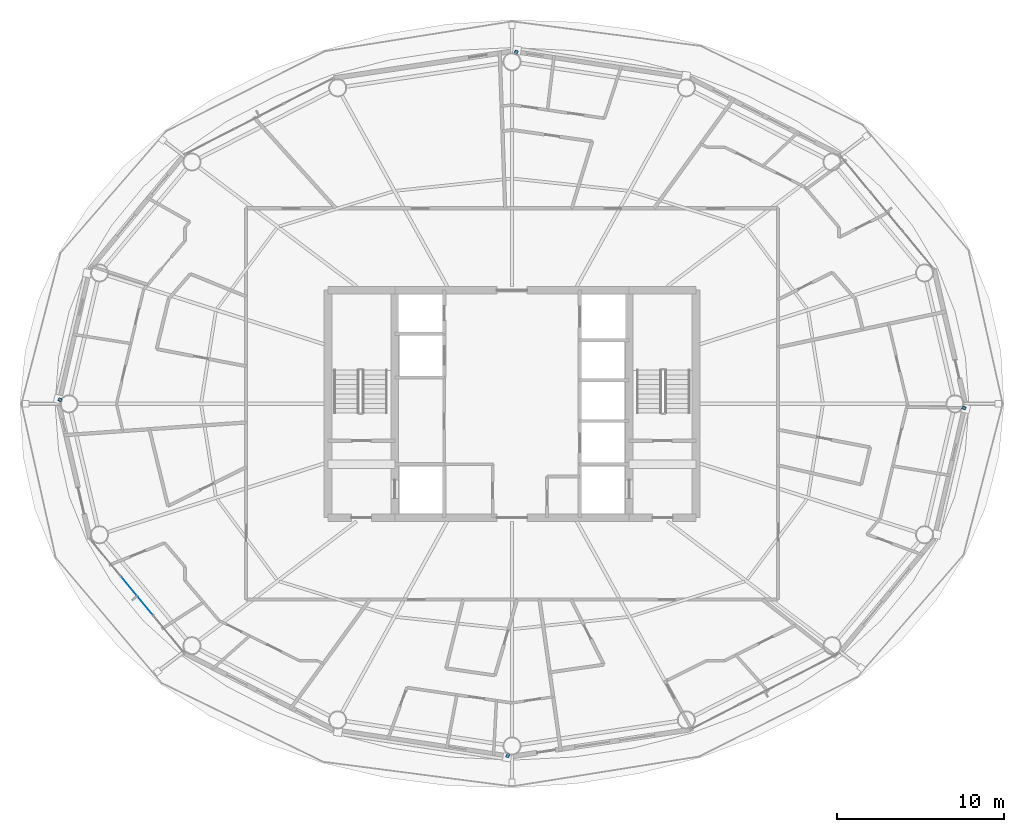
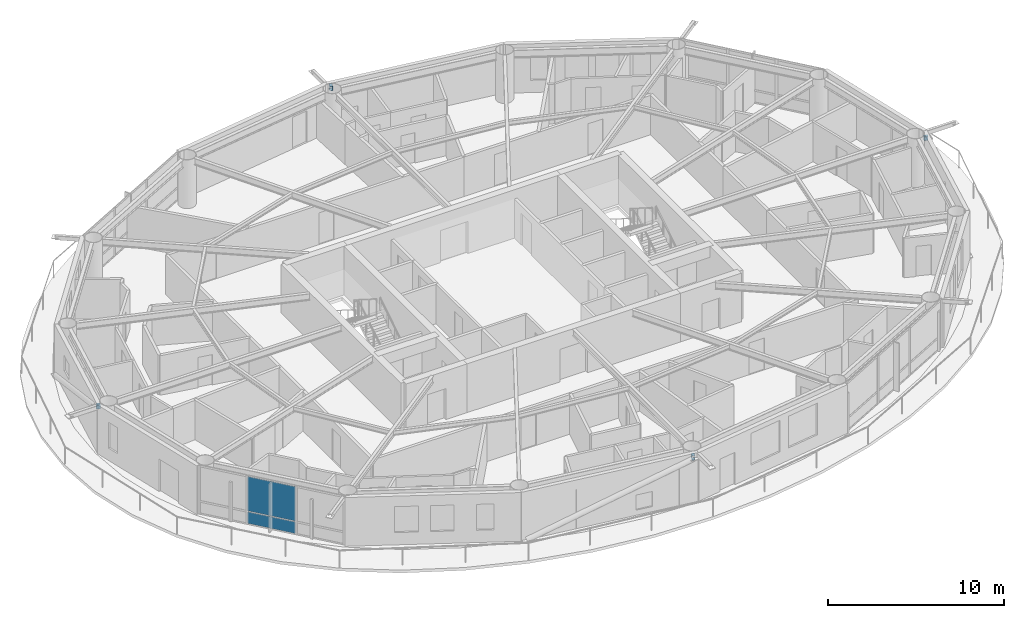
# One storey, part 16 of 30: 4 members, 2 plates, 1 element without a shape of its own.
"""IFC4 building model written with IfcOpenShell, lengths in metres."""

from ifc_helpers import new_model, si_unit, direction, frame, origin, origin_2d, place, context, subcontext, project, spatial, rectangle, hollow_rectangle, extrude, material, layer, layer_set, material_profile, profile_set, type_object, element, aggregate, save


model = new_model("IFC4")

# Units and contexts
model_context = context("Model", 3, precision=1e-05, world=origin(), true_north=direction((0.0, 1.0)))
body_context = subcontext(model_context, "Body", "Model", "MODEL_VIEW")
ifc_project = project(units=[si_unit("LENGTHUNIT", "METRE"), si_unit("AREAUNIT", "SQUARE_METRE"), si_unit("VOLUMEUNIT", "CUBIC_METRE"), si_unit("PLANEANGLEUNIT", "RADIAN"), si_unit("MASSUNIT", "GRAM", prefix="KILO")], contexts=[model_context])

# Site, building, storey
site_placement = place(None, origin())
site = spatial("IfcSite", under=ifc_project, at=site_placement, CompositionType="ELEMENT")
building_placement = place(site_placement, origin())
building = spatial("IfcBuilding", under=site, at=building_placement, Name="Sarneth Arch Tower", CompositionType="ELEMENT")
storey_placement = place(building_placement, frame((0.0, 0.0, 168.60009765625)))
storey = spatial("IfcBuildingStorey", under=building, at=storey_placement, Name="L42", CompositionType="ELEMENT", Elevation=168.60009765625)

# Members
ifc_material_1 = material(Name="Steel S355", Category="steel")
ifc_material_profile = material_profile(ifc_material_1, hollow_rectangle(XDim=0.199951171875, YDim=0.300048828125, WallThickness=0.012451171875, InnerFilletRadius=0.018798828125, OuterFilletRadius=0.03125, at=origin_2d()), Name="RHS300x200x12.5")
ifc_profile_set = profile_set([ifc_material_profile], Name="Steel S355")
member_type = type_object("IfcMemberType", Name="MEM-CANT-STRUT", PredefinedType="STRUT", material=ifc_profile_set)
member_1_placement = place(storey_placement, frame((48.187744140625, 62.883544921875, 3.050537109375), z_axis=(0.397032763308, 0.917804437154, 0.0), x_axis=(-0.917804437154, 0.397032763308, 0.0)))
element("IfcMember", 1, at=member_1_placement, inside=storey, type_object=member_type, Name="L42 Exoskeleton brace node strut 04B", PredefinedType="STRUT", context=body_context, shape_type="SweptSolid", body=[
    extrude(hollow_rectangle(XDim=0.199951171875, YDim=0.300048828125, WallThickness=0.012451171875, InnerFilletRadius=0.018798828125, OuterFilletRadius=0.03125, at=origin_2d()), origin(), (0.0, 0.0, 1.0), 0.274169921875),
])
member_2_placement = place(storey_placement, frame((21.0830078125, 42.19580078125, 3.050537109375), z_axis=(-0.910186836564, 0.414197926777, 0.0), x_axis=(-0.414197926777, -0.910186836564, 0.0)))
element("IfcMember", 2, at=member_2_placement, inside=storey, type_object=member_type, Name="L42 Exoskeleton brace node strut 08B", PredefinedType="STRUT", context=body_context, shape_type="SweptSolid", body=[
    extrude(hollow_rectangle(XDim=0.199951171875, YDim=0.300048828125, WallThickness=0.012451171875, InnerFilletRadius=0.018798828125, OuterFilletRadius=0.03125, at=origin_2d()), origin(), (0.0, 0.0, 1.0), 0.23291015625),
])
member_3_placement = place(storey_placement, frame((47.812255859375, 21.116455078125, 3.050537109375), z_axis=(-0.397032763308, -0.917804437154, 0.0), x_axis=(0.917804437154, -0.397032763308, 0.0)))
element("IfcMember", 3, at=member_3_placement, inside=storey, type_object=member_type, Name="L42 Exoskeleton brace node strut 12B", PredefinedType="STRUT", context=body_context, shape_type="SweptSolid", body=[
    extrude(hollow_rectangle(XDim=0.199951171875, YDim=0.300048828125, WallThickness=0.012451171875, InnerFilletRadius=0.018798828125, OuterFilletRadius=0.03125, at=origin_2d()), origin(), (0.0, 0.0, 1.0), 0.274169921875),
])
member_4_placement = place(storey_placement, frame((74.9169921875, 41.80419921875, 3.050537109375), z_axis=(0.910186836564, -0.414197926777, 0.0), x_axis=(0.414197926777, 0.910186836564, 0.0)))
element("IfcMember", 4, at=member_4_placement, inside=storey, type_object=member_type, Name="L42 Exoskeleton brace node strut 16B", PredefinedType="STRUT", context=body_context, shape_type="SweptSolid", body=[
    extrude(hollow_rectangle(XDim=0.199951171875, YDim=0.300048828125, WallThickness=0.012451171875, InnerFilletRadius=0.018798828125, OuterFilletRadius=0.03125, at=origin_2d()), origin(), (0.0, 0.0, 1.0), 0.23291015625),
])

# Curtain wall, plates
ifc_material_2 = material(Name="Anodised aluminium Type AA25 and solar-control low-e laminated IGU", Category="aluminium")
ifc_layer_1 = layer(ifc_material_2, 0.169921875)
ifc_layer_set_1 = layer_set([ifc_layer_1], Name="Anodised aluminium Type AA25 and solar-control low-e laminated IGU")
curtain_wall_type = type_object("IfcCurtainWallType", Name="CW-RES-MID", PredefinedType="NOTDEFINED", material=ifc_layer_set_1)
curtain_wall_placement = place(storey_placement, origin())
curtain_wall = element("IfcCurtainWall", 5, at=curtain_wall_placement, inside=storey, type_object=curtain_wall_type, Name="L42 Unitised curtain wall facet 10", PredefinedType="NOTDEFINED")
ifc_material_3 = material(Name="Solar-control low-e laminated IGU", Category="glass")
ifc_layer_2 = layer(ifc_material_3, 0.028076171875)
ifc_layer_set_2 = layer_set([ifc_layer_2], Name="Solar-control low-e laminated IGU")
plate_type = type_object("IfcPlateType", Name="CW-PANEL", PredefinedType="CURTAIN_PANEL", material=ifc_layer_set_2)
plate_1_placement = place(storey_placement, frame((25.595703125, 30.513671875, 0.059814453125), z_axis=(0.0, 0.0, 1.0), x_axis=(0.637330298558, -0.770590741276, 0.0)))
plate_1 = element("IfcPlate", 6, at=plate_1_placement, type_object=plate_type, Name="Curtain wall glazed vision pane CW-L42-F10/P01-00", PredefinedType="CURTAIN_PANEL", context=body_context, shape_type="SweptSolid", body=[
    extrude(rectangle(XDim=2.898193359375, YDim=0.028076171875, at=origin_2d()), origin(), (0.0, 0.0, 1.0), 0.81005859375),
])
plate_2_placement = place(storey_placement, frame((25.595703125, 30.513671875, 0.93017578125), z_axis=(0.0, 0.0, 1.0), x_axis=(0.637330298558, -0.770590741276, 0.0)))
plate_2 = element("IfcPlate", 7, at=plate_2_placement, type_object=plate_type, Name="Curtain wall glazed vision pane CW-L42-F10/P01-01", PredefinedType="CURTAIN_PANEL", context=body_context, shape_type="SweptSolid", body=[
    extrude(rectangle(XDim=2.898193359375, YDim=0.028076171875, at=origin_2d()), origin(), (0.0, 0.0, 1.0), 2.389892578125),
])
aggregate(curtain_wall, [plate_1, plate_2])

save(model, "model.ifc")
